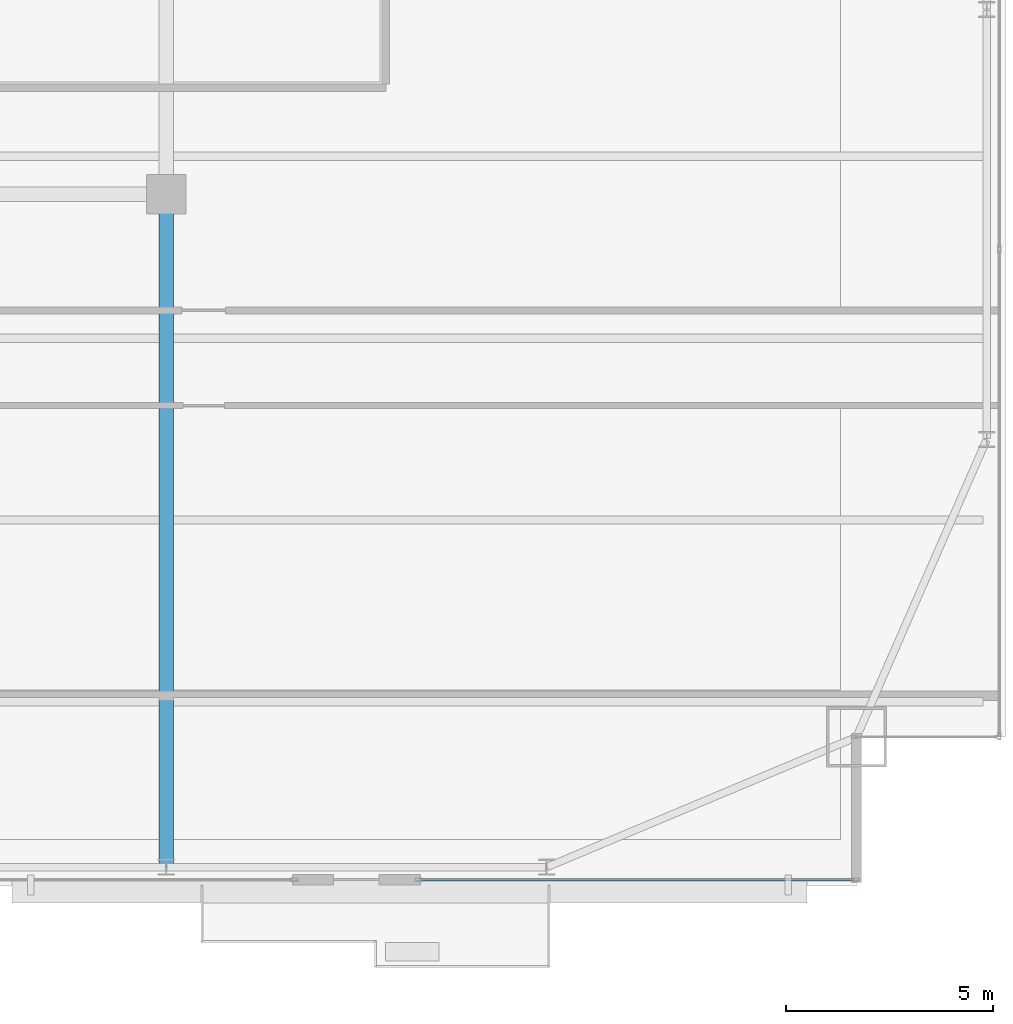
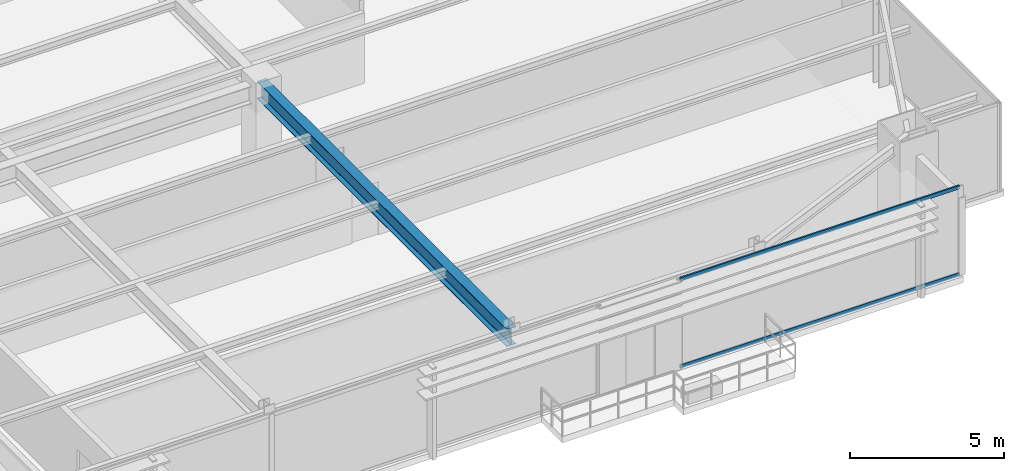
# One storey, part 13 of 31: 2 members, 1 beam, 1 element without a shape of its own.
"""IFC4 building model written with IfcOpenShell, lengths in metres."""

import ifcopenshell
import ifcopenshell.guid

model = None  # the IFC model being written
_history = None  # IfcOwnerHistory: only IFC2X3 demands one
_inside = {}  # id of a spatial element -> (the spatial element, [elements in it])
_under = {}  # id of a project, library or spatial element -> (it, [spatial elements below it])
_declared = {}  # id of a project -> (the project, [libraries it declares])
_typed = {}  # id of a type object -> (the type object, [elements of that type])
_made_of = {}  # id of a material, layer set ... -> (it, [elements and type objects made of it])


def new_model(schema):
    """Start an empty IFC model of exactly this schema.

    Asked for "IFC4X3", IfcOpenShell would pick the latest addendum, in which some entities
    have other attributes; the version numbers below select the first issue.
    IFC2X3 requires an IfcOwnerHistory on every rooted entity: one is made here for all.
    """
    global model, _history
    if schema == "IFC4X3":
        model = ifcopenshell.file(schema_version=(4, 3, 0, 0))
    else:
        model = ifcopenshell.file(schema=schema)
    _inside.clear()
    _under.clear()
    _declared.clear()
    _typed.clear()
    _made_of.clear()
    _history = None
    if model.schema == "IFC2X3":
        org = make("IfcOrganization", Name="unknown")
        user = make(
            "IfcPersonAndOrganization",
            ThePerson=make("IfcPerson", FamilyName="unknown"),
            TheOrganization=org,
        )
        app = make(
            "IfcApplication",
            ApplicationDeveloper=org,
            Version="unknown",
            ApplicationFullName="unknown",
            ApplicationIdentifier="unknown",
        )
        _history = make(
            "IfcOwnerHistory",
            OwningUser=user,
            OwningApplication=app,
            ChangeAction="ADDED",
            CreationDate=0,
        )
    return model


def make(cls, **values):
    """One entity of the class cls with the attributes given. An attribute that is None is left unset."""
    return model.create_entity(
        cls, **{name: value for name, value in values.items() if value is not None}
    )


def rooted(cls, **values):
    """An entity with a GlobalId (a new one), such as an element, a storey or a relation."""
    return make(cls, GlobalId=ifcopenshell.guid.new(), OwnerHistory=_history, **values)


def si_unit(unit_type, name, prefix=None):
    """IfcSIUnit, for example si_unit("LENGTHUNIT", "METRE", prefix="MILLI")."""
    return make("IfcSIUnit", UnitType=unit_type, Prefix=prefix, Name=name)


def assignment(units):
    """IfcUnitAssignment: the units of a project."""
    return None if units is None else make("IfcUnitAssignment", Units=units)


def point(xyz):
    """IfcCartesianPoint."""
    return None if xyz is None else make("IfcCartesianPoint", Coordinates=xyz)


def direction(xyz):
    """IfcDirection."""
    return None if xyz is None else make("IfcDirection", DirectionRatios=xyz)


def frame(location, z_axis=None, x_axis=None):
    """IfcAxis2Placement3D, a coordinate frame: its origin and axes. An axis left out is left unset."""
    return make(
        "IfcAxis2Placement3D",
        Location=point(location),
        Axis=direction(z_axis),
        RefDirection=direction(x_axis),
    )


def frame_2d(location, x_axis=None):
    """IfcAxis2Placement2D, a coordinate frame in the plane: its origin and x axis."""
    return make(
        "IfcAxis2Placement2D", Location=point(location), RefDirection=direction(x_axis)
    )


def origin():
    """The frame at (0, 0, 0) with its axes left unset."""
    return frame((0.0, 0.0, 0.0))


def origin_2d():
    """The frame at (0, 0) in the plane with its x axis left unset."""
    return frame_2d((0.0, 0.0))


def place(relative_to, where):
    """IfcLocalPlacement: puts the frame where relative to a parent placement (None: the world)."""
    return make(
        "IfcLocalPlacement", PlacementRelTo=relative_to, RelativePlacement=where
    )


def context(
    kind, dimensions, precision=None, world=None, true_north=None, identifier=None
):
    """IfcGeometricRepresentationContext, for example the 3D "Model" context."""
    return make(
        "IfcGeometricRepresentationContext",
        ContextIdentifier=identifier,
        ContextType=kind,
        CoordinateSpaceDimension=dimensions,
        Precision=precision,
        WorldCoordinateSystem=world,
        TrueNorth=true_north,
    )


def subcontext(parent, identifier, kind, view, scale=None):
    """IfcGeometricRepresentationSubContext, for example "Body" below "Model"."""
    return make(
        "IfcGeometricRepresentationSubContext",
        ContextIdentifier=identifier,
        ContextType=kind,
        ParentContext=parent,
        TargetScale=scale,
        TargetView=view,
    )


def project(units=None, contexts=None):
    """IfcProject with its units and contexts."""
    return rooted(
        "IfcProject",
        Name="project",
        RepresentationContexts=contexts,
        UnitsInContext=assignment(units),
    )


def spatial(cls, under=None, at=None, **own):
    """A site, building, storey or space (cls), placed at a placement, below another one or the project."""
    s = rooted(cls, ObjectPlacement=at, **own)
    if under is not None:
        _under.setdefault(under.id(), (under, []))[1].append(s)
    return s


def profile(cls, at=None, kind="AREA", **sizes):
    """A parametric profile (cls). Its sizes go by their IFC names, for example OverallWidth=200.0."""
    return make(cls, ProfileType=kind, Position=at, **sizes)


def hollow_rectangle(**sizes):
    """IfcRectangleHollowProfileDef."""
    return profile("IfcRectangleHollowProfileDef", **sizes)


def i_section(**sizes):
    """IfcIShapeProfileDef."""
    return profile("IfcIShapeProfileDef", **sizes)


def extrude(swept, where, along, depth):
    """IfcExtrudedAreaSolid: the profile swept, set in the frame where, extruded along a direction by depth."""
    return make(
        "IfcExtrudedAreaSolid",
        SweptArea=swept,
        Position=where,
        ExtrudedDirection=direction(along),
        Depth=depth,
    )


def shape(context_of_items, identifier, shape_type, items):
    """IfcShapeRepresentation: the items that make up one representation, for example the "Body"."""
    return make(
        "IfcShapeRepresentation",
        ContextOfItems=context_of_items,
        RepresentationIdentifier=identifier,
        RepresentationType=shape_type,
        Items=items,
    )


def source(mapping_origin, context_of_items, identifier, shape_type, items):
    """IfcRepresentationMap: a shape defined once, which mapped items show again and again."""
    return make(
        "IfcRepresentationMap",
        MappingOrigin=mapping_origin,
        MappedRepresentation=shape(context_of_items, identifier, shape_type, items),
    )


def transform(
    local_origin,
    x_axis=None,
    y_axis=None,
    z_axis=None,
    scale=None,
    scale2=None,
    scale3=None,
    uniform=True,
):
    """IfcCartesianTransformationOperator3D, or its non-uniform kind. x_axis, y_axis, z_axis: its Axis1, 2, 3."""
    if uniform:
        return make(
            "IfcCartesianTransformationOperator3D",
            Axis1=direction(x_axis),
            Axis2=direction(y_axis),
            LocalOrigin=point(local_origin),
            Scale=scale,
            Axis3=direction(z_axis),
        )
    return make(
        "IfcCartesianTransformationOperator3DnonUniform",
        Axis1=direction(x_axis),
        Axis2=direction(y_axis),
        LocalOrigin=point(local_origin),
        Scale=scale,
        Axis3=direction(z_axis),
        Scale2=scale2,
        Scale3=scale3,
    )


def mapped(mapping_source, mapping_target):
    """IfcMappedItem: shows the shape of a source again, moved by a transform."""
    return make(
        "IfcMappedItem", MappingSource=mapping_source, MappingTarget=mapping_target
    )


def material(Name=None, Category=None):
    """IfcMaterial."""
    return make("IfcMaterial", Name=Name, Category=Category)


def layer(
    of_material, thickness, ventilated=None, Name=None, Category=None, Priority=None
):
    """IfcMaterialLayer: one layer of a wall or slab, of a material (None: an air gap)."""
    return make(
        "IfcMaterialLayer",
        Material=of_material,
        LayerThickness=thickness,
        IsVentilated=ventilated,
        Name=Name,
        Category=Category,
        Priority=Priority,
    )


def layer_set(layers, Name=None):
    """IfcMaterialLayerSet."""
    return make("IfcMaterialLayerSet", MaterialLayers=layers, LayerSetName=Name)


def material_profile(
    of_material, cross_section, Name=None, Category=None, Priority=None
):
    """IfcMaterialProfile: a cross section and its material."""
    return make(
        "IfcMaterialProfile",
        Name=Name,
        Material=of_material,
        Profile=cross_section,
        Priority=Priority,
        Category=Category,
    )


def profile_set(profiles, Name=None, composite=None):
    """IfcMaterialProfileSet."""
    return make(
        "IfcMaterialProfileSet",
        Name=Name,
        MaterialProfiles=profiles,
        CompositeProfile=composite,
    )


def made_of(thing, what):
    """Note that an element or type object is made of a material, layer set ...; save() writes the relation."""
    if what is not None:
        _made_of.setdefault(what.id(), (what, []))[1].append(thing)
    return thing


def type_object(cls, material=None, **own):
    """A type object (cls), such as IfcWallType, which elements share."""
    return made_of(rooted(cls, **own), material)


def type_shapes(of_type, sources):
    """Give a type object the sources (RepresentationMaps) that its elements show as mapped items."""
    of_type.RepresentationMaps = sources


def element(
    cls,
    number,
    at=None,
    inside=None,
    cuts=None,
    type_object=None,
    material=None,
    context=None,
    identifier="Body",
    shape_type=None,
    held_by="IfcProductDefinitionShape",
    body=None,
    shapes=None,
    **own,
):
    """One element of the class cls, such as IfcWall. Its Tag is "e" and its number.

    at: its placement. inside: the storey or other place that contains it. cuts: it is an
    opening in that element (IfcRelVoidsElement). A single representation is given by context,
    identifier, shape_type and body (its items); several are given by shapes. held_by: the class
    of the entity that holds the representations. save() writes the other relations.
    """
    e = rooted(cls, Tag="e%d" % number, ObjectPlacement=at, **own)
    if body is not None:
        shapes = [shape(context, identifier, shape_type, body)]
    if shapes is not None:
        e.Representation = make(held_by, Representations=shapes)
    if inside is not None:
        _inside.setdefault(inside.id(), (inside, []))[1].append(e)
    if cuts is not None:
        rooted(
            "IfcRelVoidsElement", RelatingBuildingElement=cuts, RelatedOpeningElement=e
        )
    if type_object is not None:
        _typed.setdefault(type_object.id(), (type_object, []))[1].append(e)
    return made_of(e, material)


def aggregate(whole, parts):
    """IfcRelAggregates: a whole, such as a stair, and the parts it consists of."""
    return rooted("IfcRelAggregates", RelatingObject=whole, RelatedObjects=parts)


def save(model, path):
    """Write the relations noted so far, then the file.

    IfcRelAggregates (storeys below a building ...), IfcRelContainedInSpatialStructure (elements
    in a storey), IfcRelDefinesByType, IfcRelAssociatesMaterial and IfcRelDeclares: one each for
    every whole, place, type object, material and project.
    """
    for whole, parts in _under.values():
        aggregate(whole, parts)
    for where, things in _inside.values():
        rooted(
            "IfcRelContainedInSpatialStructure",
            RelatedElements=things,
            RelatingStructure=where,
        )
    for kind, things in _typed.values():
        rooted("IfcRelDefinesByType", RelatedObjects=things, RelatingType=kind)
    for what, things in _made_of.values():
        rooted("IfcRelAssociatesMaterial", RelatedObjects=things, RelatingMaterial=what)
    for by, libraries in _declared.values():
        rooted("IfcRelDeclares", RelatingContext=by, RelatedDefinitions=libraries)
    model.write(path)


model = new_model("IFC4")

# Units and contexts
model_context = context("Model", 3, precision=1e-05, world=origin(), true_north=direction((0.0, 1.0)))
body_context = subcontext(model_context, "Body", "Model", "MODEL_VIEW")
ifc_project = project(units=[si_unit("LENGTHUNIT", "METRE"), si_unit("AREAUNIT", "SQUARE_METRE"), si_unit("VOLUMEUNIT", "CUBIC_METRE"), si_unit("PLANEANGLEUNIT", "RADIAN"), si_unit("MASSUNIT", "GRAM", prefix="KILO")], contexts=[model_context])

# Site, building, storey
site_placement = place(None, origin())
site = spatial("IfcSite", under=ifc_project, at=site_placement, CompositionType="ELEMENT")
building_placement = place(site_placement, origin())
building = spatial("IfcBuilding", under=site, at=building_placement, Name="Varnel Quay Broadcast Tower", CompositionType="ELEMENT")
storey_placement = place(building_placement, frame((0.0, 0.0, 94.60009765625)))
storey = spatial("IfcBuildingStorey", under=building, at=storey_placement, Name="L22", CompositionType="ELEMENT", Elevation=94.60009765625)

# Beam
ifc_material_1 = material(Name="Structural Steel CSA G40.21 350W", Category="steel")
ifc_material_profile_1 = material_profile(ifc_material_1, i_section(OverallWidth=0.35498046875, OverallDepth=0.695068359375, WebThickness=0.015380859375, FlangeThickness=0.02490234375, FilletRadius=0.01806640625, at=origin_2d()), Name="W690X217")
ifc_profile_set_1 = profile_set([ifc_material_profile_1], Name="Structural Steel CSA G40.21 350W")
beam_type = type_object("IfcBeamType", Name="Girder_W690X217", PredefinedType="BEAM", material=ifc_profile_set_1)
shared_shape_1 = source(origin(), body_context, "Body", "SweptSolid", [
    extrude(i_section(OverallWidth=0.35498046875, OverallDepth=0.695068359375, WebThickness=0.015380859375, FlangeThickness=0.02490234375, FilletRadius=0.01806640625, at=origin_2d()), origin(), (0.0, 0.0, 1.0), 16.239990234375),
])
type_shapes(beam_type, [shared_shape_1])
beam_placement = place(storey_placement, frame((43.199951171875, 4.669921875, 3.17236328125), z_axis=(0.0, 1.0, 0.0), x_axis=(-1.0, 0.0, 0.0)))
element("IfcBeam", 1, at=beam_placement, inside=storey, type_object=beam_type, Name="L22 Primary Girder TC-S4-IC-02", PredefinedType="BEAM", context=body_context, shape_type="MappedRepresentation", body=[
    mapped(shared_shape_1, transform((0.0, 0.0, 0.0), x_axis=(1.0, 0.0, 0.0), y_axis=(0.0, 1.0, 0.0), z_axis=(0.0, 0.0, 1.0), scale=1.0)),
])

# Curtain wall, members
ifc_material_2 = material(Name="Anodised Bronze Aluminium 6063-T6", Category="aluminium")
ifc_layer = layer(ifc_material_2, 0.18994140625, Name="Anodised Bronze Aluminium 6063-T6")
ifc_layer_set = layer_set([ifc_layer], Name="Anodised Bronze Aluminium 6063-T6")
curtain_wall_type = type_object("IfcCurtainWallType", Name="CW_LowerTower", PredefinedType="NOTDEFINED", material=ifc_layer_set)
curtain_wall_placement = place(storey_placement, origin())
curtain_wall = element("IfcCurtainWall", 2, at=curtain_wall_placement, inside=storey, type_object=curtain_wall_type, Name="L22 South Unitised Curtain Wall 3", PredefinedType="NOTDEFINED")
ifc_material_profile_2 = material_profile(ifc_material_2, hollow_rectangle(XDim=0.06005859375, YDim=0.14501953125, WallThickness=0.00341796875, at=origin_2d()), Name="ALU60X145X3.5")
ifc_profile_set_2 = profile_set([ifc_material_profile_2], Name="Anodised Bronze Aluminium 6063-T6")
member_type = type_object("IfcMemberType", Name="Tran_CWS-02", PredefinedType="USERDEFINED", material=ifc_profile_set_2)
shared_shape_2 = source(origin(), body_context, "Body", "SweptSolid", [
    extrude(hollow_rectangle(XDim=0.06005859375, YDim=0.14501953125, WallThickness=0.00341796875, at=origin_2d()), origin(), (0.0, 0.0, 1.0), 10.47998046875),
])
type_shapes(member_type, [shared_shape_2])
member_1_placement = place(storey_placement, frame((49.35009765625, 4.35009765625, 0.02978515625), z_axis=(1.0, 0.0, 0.0), x_axis=(0.0, 1.0, 0.0)))
member_1 = element("IfcMember", 3, at=member_1_placement, type_object=member_type, Name="CWS-02 transom 1.1", ObjectType="TRANSOM", PredefinedType="USERDEFINED", context=body_context, shape_type="MappedRepresentation", body=[
    mapped(shared_shape_2, transform((0.0, 0.0, 0.0), x_axis=(1.0, 0.0, 0.0), y_axis=(0.0, 1.0, 0.0), z_axis=(0.0, 0.0, 1.0), scale=1.0)),
])
member_2_placement = place(storey_placement, frame((49.35009765625, 4.35009765625, 3.489990234375), z_axis=(1.0, 0.0, 0.0), x_axis=(0.0, 1.0, 0.0)))
member_2 = element("IfcMember", 4, at=member_2_placement, type_object=member_type, Name="CWS-02 transom 1.2", ObjectType="TRANSOM", PredefinedType="USERDEFINED", context=body_context, shape_type="MappedRepresentation", body=[
    mapped(shared_shape_2, transform((0.0, 0.0, 0.0), x_axis=(1.0, 0.0, 0.0), y_axis=(0.0, 1.0, 0.0), z_axis=(0.0, 0.0, 1.0), scale=1.0)),
])
aggregate(curtain_wall, [member_1, member_2])

save(model, "model.ifc")
